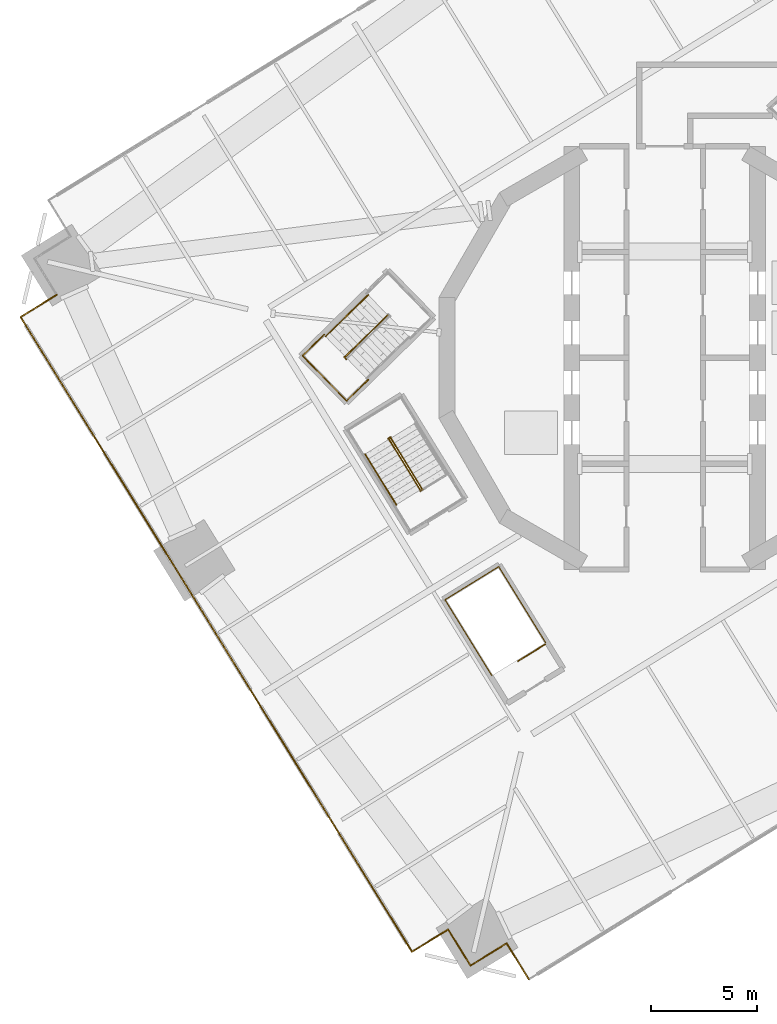
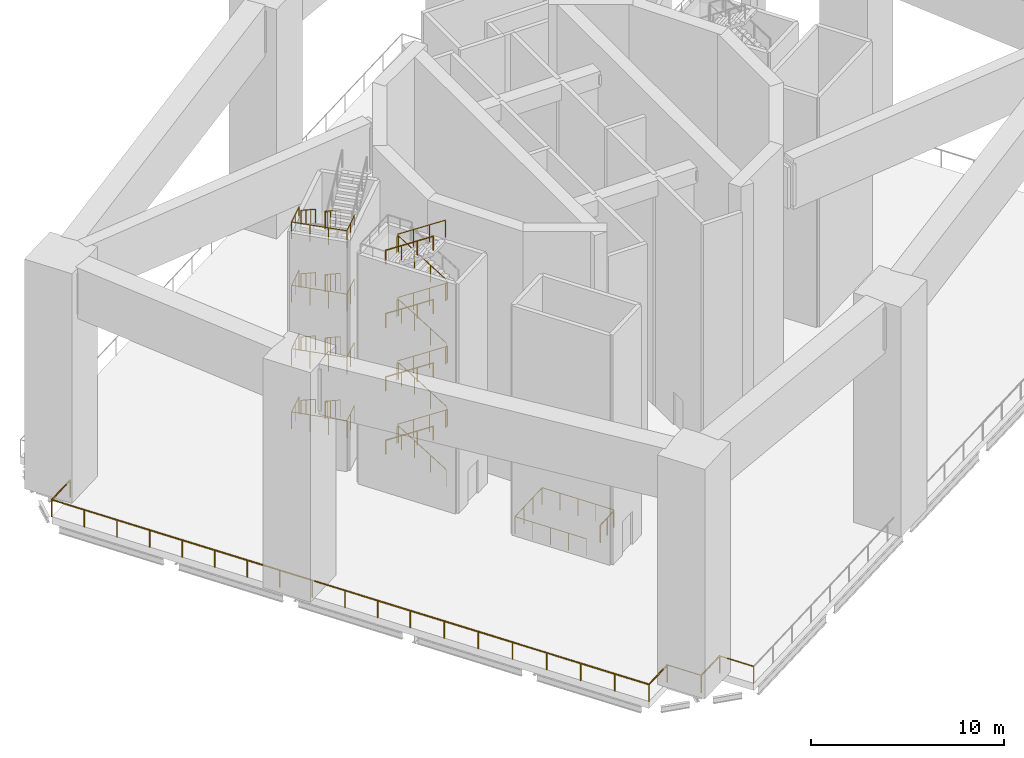
# One storey, part 10 of 15: 33 railings.
"""IFC4 building model written with IfcOpenShell, lengths in metres."""

from ifc_helpers import new_model, si_unit, direction, frame, origin, origin_2d, place, context, subcontext, project, spatial, circle, extrude, material, type_object, element, save


model = new_model("IFC4")

# Units and contexts
model_context = context("Model", 3, precision=1e-05, world=origin(), true_north=direction((0.0, 1.0)))
body_context = subcontext(model_context, "Body", "Model", "MODEL_VIEW")
ifc_project = project(units=[si_unit("LENGTHUNIT", "METRE"), si_unit("AREAUNIT", "SQUARE_METRE"), si_unit("VOLUMEUNIT", "CUBIC_METRE"), si_unit("PLANEANGLEUNIT", "RADIAN"), si_unit("MASSUNIT", "GRAM", prefix="KILO")], contexts=[model_context])

# Site, building, storey
site_placement = place(None, origin())
site = spatial("IfcSite", under=ifc_project, at=site_placement, CompositionType="ELEMENT")
building_placement = place(site_placement, origin())
building = spatial("IfcBuilding", under=site, at=building_placement, Name="Cantera Rosa Tower", CompositionType="ELEMENT")
storey_placement = place(building_placement, frame((0.0, 0.0, 189.39990234375)))
storey = spatial("IfcBuildingStorey", under=building, at=storey_placement, Name="L42", CompositionType="ELEMENT", Elevation=189.39990234375)

# Railings
ifc_material_1 = material(Name="Stainless steel and laminated glass", Category="steel")
railing_type_1 = type_object("IfcRailingType", Name="GUARD 1100", PredefinedType="BALUSTRADE", material=ifc_material_1)
railing_1_placement = place(storey_placement, frame((-28.618896484375, 2.967529296875, 0.0)))
element("IfcRailing", 1, at=railing_1_placement, inside=storey, type_object=railing_type_1, Name="PORTAL GUARD L42-11", PredefinedType="BALUSTRADE", context=body_context, shape_type="SweptSolid", body=[
    extrude(circle(Radius=0.030029296875, at=origin_2d()), frame((0.0, 0.0, 1.070068359375), z_axis=(-0.851138143202, -0.52494176933, 0.0), x_axis=(0.52494176933, -0.851138143202, 0.0)), (0.0, 0.0, 1.0), 1.999755859375),
    extrude(circle(Radius=0.02490234375, at=origin_2d()), origin(), (0.0, 0.0, 1.0), 1.0400390625),
    extrude(circle(Radius=0.02490234375, at=origin_2d()), frame((-1.7021484375, -1.0498046875, 0.0)), (0.0, 0.0, 1.0), 1.0400390625),
])
railing_2_placement = place(storey_placement, frame((-30.321044921875, 1.917724609375, 0.0)))
element("IfcRailing", 2, at=railing_2_placement, inside=storey, type_object=railing_type_1, Name="PORTAL GUARD L42-12", PredefinedType="BALUSTRADE", context=body_context, shape_type="SweptSolid", body=[
    extrude(circle(Radius=0.030029296875, at=origin_2d()), frame((0.0, 0.0, 1.070068359375), z_axis=(0.524972268191, -0.851119332192, 0.0), x_axis=(0.851119332192, 0.524972268191, 0.0)), (0.0, 0.0, 1.0), 21.06005859375),
    extrude(circle(Radius=0.02490234375, at=origin_2d()), origin(), (0.0, 0.0, 1.0), 1.0400390625),
    extrude(circle(Radius=0.02490234375, at=origin_2d()), frame((1.005126953125, -1.62939453125, 0.0)), (0.0, 0.0, 1.0), 1.0400390625),
    extrude(circle(Radius=0.02490234375, at=origin_2d()), frame((2.01025390625, -3.259033203125, 0.0)), (0.0, 0.0, 1.0), 1.0400390625),
    extrude(circle(Radius=0.02490234375, at=origin_2d()), frame((3.01513671875, -4.888427734375, 0.0)), (0.0, 0.0, 1.0), 1.0400390625),
    extrude(circle(Radius=0.02490234375, at=origin_2d()), frame((4.020263671875, -6.51806640625, 0.0)), (0.0, 0.0, 1.0), 1.0400390625),
    extrude(circle(Radius=0.02490234375, at=origin_2d()), frame((5.025390625, -8.1474609375, 0.0)), (0.0, 0.0, 1.0), 1.0400390625),
    extrude(circle(Radius=0.02490234375, at=origin_2d()), frame((6.030517578125, -9.777099609375, 0.0)), (0.0, 0.0, 1.0), 1.0400390625),
    extrude(circle(Radius=0.02490234375, at=origin_2d()), frame((7.03564453125, -11.406494140625, 0.0)), (0.0, 0.0, 1.0), 1.0400390625),
    extrude(circle(Radius=0.02490234375, at=origin_2d()), frame((8.040771484375, -13.0361328125, 0.0)), (0.0, 0.0, 1.0), 1.0400390625),
    extrude(circle(Radius=0.02490234375, at=origin_2d()), frame((9.045654296875, -14.66552734375, 0.0)), (0.0, 0.0, 1.0), 1.0400390625),
    extrude(circle(Radius=0.02490234375, at=origin_2d()), frame((10.05078125, -16.295166015625, 0.0)), (0.0, 0.0, 1.0), 1.0400390625),
    extrude(circle(Radius=0.02490234375, at=origin_2d()), frame((11.055908203125, -17.924560546875, 0.0)), (0.0, 0.0, 1.0), 1.0400390625),
])
railing_3_placement = place(storey_placement, frame((-19.26513671875, -16.0068359375, 0.0)))
element("IfcRailing", 3, at=railing_3_placement, inside=storey, type_object=railing_type_1, Name="PORTAL GUARD L42-13", PredefinedType="BALUSTRADE", context=body_context, shape_type="SweptSolid", body=[
    extrude(circle(Radius=0.030029296875, at=origin_2d()), frame((0.0, 0.0, 1.070068359375), z_axis=(0.524984864642, -0.851111562544, 0.0), x_axis=(0.851111562544, 0.524984864642, 0.0)), (0.0, 0.0, 1.0), 14.0400390625),
    extrude(circle(Radius=0.02490234375, at=origin_2d()), origin(), (0.0, 0.0, 1.0), 1.0400390625),
    extrude(circle(Radius=0.02490234375, at=origin_2d()), frame((1.052978515625, -1.70703125, 0.0)), (0.0, 0.0, 1.0), 1.0400390625),
    extrude(circle(Radius=0.02490234375, at=origin_2d()), frame((2.10595703125, -3.414306640625, 0.0)), (0.0, 0.0, 1.0), 1.0400390625),
    extrude(circle(Radius=0.02490234375, at=origin_2d()), frame((3.158935546875, -5.121337890625, 0.0)), (0.0, 0.0, 1.0), 1.0400390625),
    extrude(circle(Radius=0.02490234375, at=origin_2d()), frame((4.2119140625, -6.828369140625, 0.0)), (0.0, 0.0, 1.0), 1.0400390625),
    extrude(circle(Radius=0.02490234375, at=origin_2d()), frame((5.264892578125, -8.535400390625, 0.0)), (0.0, 0.0, 1.0), 1.0400390625),
    extrude(circle(Radius=0.02490234375, at=origin_2d()), frame((6.31787109375, -10.24267578125, 0.0)), (0.0, 0.0, 1.0), 1.0400390625),
    extrude(circle(Radius=0.02490234375, at=origin_2d()), frame((7.370849609375, -11.94970703125, 0.0)), (0.0, 0.0, 1.0), 1.0400390625),
])
railing_4_placement = place(storey_placement, frame((-11.894287109375, -27.95654296875, 0.0)))
element("IfcRailing", 4, at=railing_4_placement, inside=storey, type_object=railing_type_1, Name="PORTAL GUARD L42-14", PredefinedType="BALUSTRADE", context=body_context, shape_type="SweptSolid", body=[
    extrude(circle(Radius=0.030029296875, at=origin_2d()), frame((0.0, 0.0, 1.070068359375), z_axis=(0.85108359724, 0.525030199617, 0.0), x_axis=(-0.525030199617, 0.85108359724, 0.0)), (0.0, 0.0, 1.0), 2.0),
    extrude(circle(Radius=0.02490234375, at=origin_2d()), origin(), (0.0, 0.0, 1.0), 1.0400390625),
    extrude(circle(Radius=0.02490234375, at=origin_2d()), frame((1.7021484375, 1.050048828125, 0.0)), (0.0, 0.0, 1.0), 1.0400390625),
])
railing_5_placement = place(storey_placement, frame((-10.192138671875, -26.906494140625, 0.0)))
element("IfcRailing", 5, at=railing_5_placement, inside=storey, type_object=railing_type_1, Name="PORTAL GUARD L42-15", PredefinedType="BALUSTRADE", context=body_context, shape_type="SweptSolid", body=[
    extrude(circle(Radius=0.030029296875, at=origin_2d()), frame((0.0, 0.0, 1.070068359375), z_axis=(0.524975657145, -0.851117241868, 0.0), x_axis=(0.851117241868, 0.524975657145, 0.0)), (0.0, 0.0, 1.0), 2.000244140625),
    extrude(circle(Radius=0.02490234375, at=origin_2d()), origin(), (0.0, 0.0, 1.0), 1.0400390625),
    extrude(circle(Radius=0.02490234375, at=origin_2d()), frame((1.050048828125, -1.702392578125, 0.0)), (0.0, 0.0, 1.0), 1.0400390625),
])
railing_6_placement = place(storey_placement, frame((-9.14208984375, -28.60888671875, 0.0)))
element("IfcRailing", 6, at=railing_6_placement, inside=storey, type_object=railing_type_1, Name="PORTAL GUARD L42-16", PredefinedType="BALUSTRADE", context=body_context, shape_type="SweptSolid", body=[
    extrude(circle(Radius=0.030029296875, at=origin_2d()), frame((0.0, 0.0, 1.070068359375), z_axis=(0.85108359724, 0.525030199617, 0.0), x_axis=(-0.525030199617, 0.85108359724, 0.0)), (0.0, 0.0, 1.0), 2.0),
    extrude(circle(Radius=0.02490234375, at=origin_2d()), origin(), (0.0, 0.0, 1.0), 1.0400390625),
    extrude(circle(Radius=0.02490234375, at=origin_2d()), frame((1.7021484375, 1.050048828125, 0.0)), (0.0, 0.0, 1.0), 1.0400390625),
])
railing_7_placement = place(storey_placement, frame((-7.43994140625, -27.558837890625, 0.0)))
element("IfcRailing", 7, at=railing_7_placement, inside=storey, type_object=railing_type_1, Name="PORTAL GUARD L42-17", PredefinedType="BALUSTRADE", context=body_context, shape_type="SweptSolid", body=[
    extrude(circle(Radius=0.030029296875, at=origin_2d()), frame((0.0, 0.0, 1.070068359375), z_axis=(0.525030199617, -0.85108359724, 0.0), x_axis=(0.85108359724, 0.525030199617, 0.0)), (0.0, 0.0, 1.0), 2.0),
    extrude(circle(Radius=0.02490234375, at=origin_2d()), origin(), (0.0, 0.0, 1.0), 1.0400390625),
    extrude(circle(Radius=0.02490234375, at=origin_2d()), frame((1.050048828125, -1.7021484375, 0.0)), (0.0, 0.0, 1.0), 1.0400390625),
])
ifc_material_2 = material(Name="Steel S355J2 (EN 10025-2)", Category="steel")
railing_type_2 = type_object("IfcRailingType", Name="STAIR GUARD 1100", PredefinedType="GUARDRAIL", material=ifc_material_2)
railing_8_placement = place(storey_placement, frame((-5.6259765625, -13.486083984375, 0.0)))
element("IfcRailing", 8, at=railing_8_placement, inside=storey, type_object=railing_type_2, Name="L42 ST-33 top well guard 1", PredefinedType="GUARDRAIL", context=body_context, shape_type="SweptSolid", body=[
    extrude(circle(Radius=0.02392578125, at=origin_2d()), frame((0.0, 0.0, 1.076171875), z_axis=(-0.851138143202, -0.52494176933, 0.0), x_axis=(0.52494176933, -0.851138143202, 0.0)), (0.0, 0.0, 1.0), 1.5),
    extrude(circle(Radius=0.02099609375, at=origin_2d()), origin(), (0.0, 0.0, 1.0), 1.052001953125),
    extrude(circle(Radius=0.02099609375, at=origin_2d()), frame((-0.63818359375, -0.3935546875, 0.0)), (0.0, 0.0, 1.0), 1.052001953125),
    extrude(circle(Radius=0.02099609375, at=origin_2d()), frame((-1.276611328125, -0.787353515625, 0.0)), (0.0, 0.0, 1.0), 1.052001953125),
])
railing_9_placement = place(storey_placement, frame((-5.607421875, -13.40185546875, 0.0)))
element("IfcRailing", 9, at=railing_9_placement, inside=storey, type_object=railing_type_2, Name="L42 ST-33 top well guard 2", PredefinedType="GUARDRAIL", context=body_context, shape_type="SweptSolid", body=[
    extrude(circle(Radius=0.02392578125, at=origin_2d()), frame((0.0, 0.0, 1.076171875), z_axis=(-0.524976478809, 0.851116735059, 0.0), x_axis=(-0.851116735059, -0.524976478809, 0.0)), (0.0, 0.0, 1.0), 4.197998046875),
    extrude(circle(Radius=0.02392578125, at=origin_2d()), frame((-2.203857421875, 3.572998046875, 1.076171875), z_axis=(-0.851132917336, -0.524950242429, 0.0), x_axis=(0.524950242429, -0.851132917336, 0.0)), (0.0, 0.0, 1.0), 2.969970703125),
    extrude(circle(Radius=0.02392578125, at=origin_2d()), frame((-4.731689453125, 2.013916015625, 1.076171875), z_axis=(0.524976478809, -0.851116735059, 0.0), x_axis=(0.851116735059, 0.524976478809, 0.0)), (0.0, 0.0, 1.0), 4.197998046875),
    extrude(circle(Radius=0.02099609375, at=origin_2d()), origin(), (0.0, 0.0, 1.0), 1.052001953125),
    extrude(circle(Radius=0.02099609375, at=origin_2d()), frame((-0.551025390625, 0.893310546875, 0.0)), (0.0, 0.0, 1.0), 1.052001953125),
    extrude(circle(Radius=0.02099609375, at=origin_2d()), frame((-1.10205078125, 1.78662109375, 0.0)), (0.0, 0.0, 1.0), 1.052001953125),
    extrude(circle(Radius=0.02099609375, at=origin_2d()), frame((-1.65283203125, 2.6796875, 0.0)), (0.0, 0.0, 1.0), 1.052001953125),
    extrude(circle(Radius=0.02099609375, at=origin_2d()), frame((-2.203857421875, 3.572998046875, 0.0)), (0.0, 0.0, 1.0), 1.052001953125),
    extrude(circle(Radius=0.02099609375, at=origin_2d()), frame((-3.04638671875, 3.05322265625, 0.0)), (0.0, 0.0, 1.0), 1.052001953125),
    extrude(circle(Radius=0.02099609375, at=origin_2d()), frame((-3.88916015625, 2.53369140625, 0.0)), (0.0, 0.0, 1.0), 1.052001953125),
    extrude(circle(Radius=0.02099609375, at=origin_2d()), frame((-4.731689453125, 2.013916015625, 0.0)), (0.0, 0.0, 1.0), 1.052001953125),
    extrude(circle(Radius=0.02099609375, at=origin_2d()), frame((-4.1806640625, 1.12060546875, 0.0)), (0.0, 0.0, 1.0), 1.052001953125),
    extrude(circle(Radius=0.02099609375, at=origin_2d()), frame((-3.6298828125, 0.2275390625, 0.0)), (0.0, 0.0, 1.0), 1.052001953125),
    extrude(circle(Radius=0.02099609375, at=origin_2d()), frame((-3.078857421875, -0.665771484375, 0.0)), (0.0, 0.0, 1.0), 1.052001953125),
    extrude(circle(Radius=0.02099609375, at=origin_2d()), frame((-2.52783203125, -1.55908203125, 0.0)), (0.0, 0.0, 1.0), 1.052001953125),
])
for number, where, name in (
    (10, (-13.032958984375, 2.013427734375, 0.181884765625), "L42 ST-43 stair guard 1"),
    (11, (-13.032958984375, 2.013427734375, 4.181884765625), "L42 ST-43 stair guard 3"),
    (12, (-13.032958984375, 2.013427734375, 8.181884765625), "L42 ST-43 stair guard 5"),
    (13, (-13.032958984375, 2.013427734375, 12.181884765625), "L42 ST-43 stair guard 7"),
):
    element("IfcRailing", number, at=place(storey_placement, frame(where)), inside=storey, type_object=railing_type_2, Name=name, PredefinedType="GUARDRAIL", context=body_context, shape_type="SweptSolid", body=[
        extrude(circle(Radius=0.02392578125, at=origin_2d()), frame((0.0, 0.0, 1.076171875), z_axis=(-0.599883231653, -0.586134841119, 0.544597150569), x_axis=(0.698863004655, -0.715255549244, 0.0)), (0.0, 0.0, 1.0), 3.33837890625),
        extrude(circle(Radius=0.02392578125, at=origin_2d()), frame((-2.002685546875, -1.956787109375, 2.89404296875), z_axis=(-0.956987977523, -0.290127576896, 0.0), x_axis=(0.290127576896, -0.956987977523, 0.0)), (0.0, 0.0, 1.0), 0.056396484375),
        extrude(circle(Radius=0.02392578125, at=origin_2d()), frame((-2.056640625, -1.97314453125, 2.89404296875), z_axis=(0.698914008722, -0.715205710557, 0.0), x_axis=(0.715205710557, 0.698914008722, 0.0)), (0.0, 0.0, 1.0), 0.14990234375),
        extrude(circle(Radius=0.02099609375, at=origin_2d()), origin(), (0.0, 0.0, 1.0), 1.052001953125),
        extrude(circle(Radius=0.02099609375, at=origin_2d()), frame((-0.66748046875, -0.65234375, 0.60595703125)), (0.0, 0.0, 1.0), 1.052001953125),
        extrude(circle(Radius=0.02099609375, at=origin_2d()), frame((-1.335205078125, -1.304443359375, 1.212158203125)), (0.0, 0.0, 1.0), 1.052001953125),
        extrude(circle(Radius=0.02099609375, at=origin_2d()), frame((-2.002685546875, -1.956787109375, 1.818115234375)), (0.0, 0.0, 1.0), 1.052001953125),
        extrude(circle(Radius=0.02099609375, at=origin_2d()), frame((-2.056640625, -1.97314453125, 1.818115234375)), (0.0, 0.0, 1.0), 1.052001953125),
        extrude(circle(Radius=0.02099609375, at=origin_2d()), frame((-1.951904296875, -2.080322265625, 1.818115234375)), (0.0, 0.0, 1.0), 1.052001953125),
    ])
for number, where, name in (
    (14, (-16.030517578125, 1.09228515625, 2.0), "L42 ST-43 stair guard 10"),
    (15, (-16.030517578125, 1.09228515625, 6.0), "L42 ST-43 stair guard 12"),
    (16, (-16.030517578125, 1.09228515625, 10.0), "L42 ST-43 stair guard 14"),
    (17, (-16.030517578125, 1.09228515625, 14.0), "L42 ST-43 stair guard 16"),
):
    element("IfcRailing", number, at=place(storey_placement, frame(where)), inside=storey, type_object=railing_type_2, Name=name, PredefinedType="GUARDRAIL", context=body_context, shape_type="SweptSolid", body=[
        extrude(circle(Radius=0.02392578125, at=origin_2d()), frame((0.0, 0.0, 1.076171875), z_axis=(-0.7152145072, -0.698905006915, 0.0), x_axis=(0.698905006915, -0.7152145072, 0.0)), (0.0, 0.0, 1.0), 1.422119140625),
        extrude(circle(Radius=0.02392578125, at=origin_2d()), frame((-1.01708984375, -0.993896484375, 1.076171875), z_axis=(0.698838333505, -0.715279654138, 0.0), x_axis=(0.715279654138, 0.698838333505, 0.0)), (0.0, 0.0, 1.0), 2.9697265625),
        extrude(circle(Radius=0.02392578125, at=origin_2d()), frame((1.058349609375, -3.1181640625, 1.076171875), z_axis=(0.715300328746, 0.698817171867, 0.0), x_axis=(-0.698817171867, 0.715300328746, 0.0)), (0.0, 0.0, 1.0), 1.421875),
        extrude(circle(Radius=0.02099609375, at=origin_2d()), origin(), (0.0, 0.0, 1.0), 1.052001953125),
        extrude(circle(Radius=0.02099609375, at=origin_2d()), frame((-0.508544921875, -0.4970703125, 0.0)), (0.0, 0.0, 1.0), 1.052001953125),
        extrude(circle(Radius=0.02099609375, at=origin_2d()), frame((-1.01708984375, -0.993896484375, 0.0)), (0.0, 0.0, 1.0), 1.052001953125),
        extrude(circle(Radius=0.02099609375, at=origin_2d()), frame((-0.3251953125, -1.701904296875, 0.0)), (0.0, 0.0, 1.0), 1.052001953125),
        extrude(circle(Radius=0.02099609375, at=origin_2d()), frame((0.366455078125, -2.41015625, 0.0)), (0.0, 0.0, 1.0), 1.052001953125),
        extrude(circle(Radius=0.02099609375, at=origin_2d()), frame((1.058349609375, -3.1181640625, 0.0)), (0.0, 0.0, 1.0), 1.052001953125),
        extrude(circle(Radius=0.02099609375, at=origin_2d()), frame((1.56689453125, -2.621337890625, 0.0)), (0.0, 0.0, 1.0), 1.052001953125),
        extrude(circle(Radius=0.02099609375, at=origin_2d()), frame((2.075439453125, -2.12451171875, 0.0)), (0.0, 0.0, 1.0), 1.052001953125),
    ])
railing_10_placement = place(storey_placement, frame((-11.42333984375, -6.165771484375, 0.181884765625)))
element("IfcRailing", 18, at=railing_10_placement, inside=storey, type_object=railing_type_2, Name="L42 ST-44 stair guard 1", PredefinedType="GUARDRAIL", context=body_context, shape_type="SweptSolid", body=[
    extrude(circle(Radius=0.02392578125, at=origin_2d()), frame((0.0, 0.0, 1.076171875), z_axis=(-0.440313995068, 0.713819117399, 0.54459696417), x_axis=(-0.851103988667, -0.524997143301, 0.0)), (0.0, 0.0, 1.0), 3.33837890625),
    extrude(circle(Radius=0.02392578125, at=origin_2d()), frame((-1.469970703125, 2.383056640625, 2.89404296875), z_axis=(-0.073711968402, 0.997279572494, 0.0), x_axis=(-0.997279572494, -0.073711968402, 0.0)), (0.0, 0.0, 1.0), 0.056396484375),
    extrude(circle(Radius=0.02392578125, at=origin_2d()), frame((-1.47412109375, 2.439208984375, 2.89404296875), z_axis=(-0.851546489876, -0.524279100842, 0.0), x_axis=(0.524279100842, -0.851546489876, 0.0)), (0.0, 0.0, 1.0), 0.14990234375),
    extrude(circle(Radius=0.02099609375, at=origin_2d()), origin(), (0.0, 0.0, 1.0), 1.052001953125),
    extrude(circle(Radius=0.02099609375, at=origin_2d()), frame((-0.489990234375, 0.79443359375, 0.60595703125)), (0.0, 0.0, 1.0), 1.052001953125),
    extrude(circle(Radius=0.02099609375, at=origin_2d()), frame((-0.97998046875, 1.588623046875, 1.212158203125)), (0.0, 0.0, 1.0), 1.052001953125),
    extrude(circle(Radius=0.02099609375, at=origin_2d()), frame((-1.469970703125, 2.383056640625, 1.818115234375)), (0.0, 0.0, 1.0), 1.052001953125),
    extrude(circle(Radius=0.02099609375, at=origin_2d()), frame((-1.47412109375, 2.439208984375, 1.818115234375)), (0.0, 0.0, 1.0), 1.052001953125),
    extrude(circle(Radius=0.02099609375, at=origin_2d()), frame((-1.601806640625, 2.360595703125, 1.818115234375)), (0.0, 0.0, 1.0), 1.052001953125),
])
railing_11_placement = place(storey_placement, frame((-12.9765625, -3.834228515625, 2.181884765625)))
element("IfcRailing", 19, at=railing_11_placement, inside=storey, type_object=railing_type_2, Name="L42 ST-44 stair guard 2", PredefinedType="GUARDRAIL", context=body_context, shape_type="SweptSolid", body=[
    extrude(circle(Radius=0.02392578125, at=origin_2d()), frame((0.0, 0.0, 1.076171875), z_axis=(0.440255040635, -0.713842101601, 0.544614499603), x_axis=(0.851142948908, 0.5249339773, 0.0)), (0.0, 0.0, 1.0), 3.33837890625),
    extrude(circle(Radius=0.02392578125, at=origin_2d()), frame((1.4697265625, -2.383056640625, 2.89404296875), z_axis=(0.073711968402, -0.997279572494, 0.0), x_axis=(0.997279572494, 0.073711968402, 0.0)), (0.0, 0.0, 1.0), 0.056396484375),
    extrude(circle(Radius=0.02392578125, at=origin_2d()), frame((1.473876953125, -2.439208984375, 2.89404296875), z_axis=(0.851546489876, 0.524279100842, 0.0), x_axis=(-0.524279100842, 0.851546489876, 0.0)), (0.0, 0.0, 1.0), 0.14990234375),
    extrude(circle(Radius=0.02099609375, at=origin_2d()), origin(), (0.0, 0.0, 1.0), 1.052001953125),
    extrude(circle(Radius=0.02099609375, at=origin_2d()), frame((0.489990234375, -0.79443359375, 0.60595703125)), (0.0, 0.0, 1.0), 1.052001953125),
    extrude(circle(Radius=0.02099609375, at=origin_2d()), frame((0.979736328125, -1.588623046875, 1.212158203125)), (0.0, 0.0, 1.0), 1.052001953125),
    extrude(circle(Radius=0.02099609375, at=origin_2d()), frame((1.4697265625, -2.383056640625, 1.818115234375)), (0.0, 0.0, 1.0), 1.052001953125),
    extrude(circle(Radius=0.02099609375, at=origin_2d()), frame((1.473876953125, -2.439208984375, 1.818115234375)), (0.0, 0.0, 1.0), 1.052001953125),
    extrude(circle(Radius=0.02099609375, at=origin_2d()), frame((1.6015625, -2.360595703125, 1.818115234375)), (0.0, 0.0, 1.0), 1.052001953125),
])
railing_12_placement = place(storey_placement, frame((-11.42333984375, -6.165771484375, 4.181884765625)))
element("IfcRailing", 20, at=railing_12_placement, inside=storey, type_object=railing_type_2, Name="L42 ST-44 stair guard 3", PredefinedType="GUARDRAIL", context=body_context, shape_type="SweptSolid", body=[
    extrude(circle(Radius=0.02392578125, at=origin_2d()), frame((0.0, 0.0, 1.076171875), z_axis=(-0.440313995068, 0.713819117399, 0.54459696417), x_axis=(-0.851103988667, -0.524997143301, 0.0)), (0.0, 0.0, 1.0), 3.33837890625),
    extrude(circle(Radius=0.02392578125, at=origin_2d()), frame((-1.469970703125, 2.383056640625, 2.89404296875), z_axis=(-0.073711968402, 0.997279572494, 0.0), x_axis=(-0.997279572494, -0.073711968402, 0.0)), (0.0, 0.0, 1.0), 0.056396484375),
    extrude(circle(Radius=0.02392578125, at=origin_2d()), frame((-1.47412109375, 2.439208984375, 2.89404296875), z_axis=(-0.851546489876, -0.524279100842, 0.0), x_axis=(0.524279100842, -0.851546489876, 0.0)), (0.0, 0.0, 1.0), 0.14990234375),
    extrude(circle(Radius=0.02099609375, at=origin_2d()), origin(), (0.0, 0.0, 1.0), 1.052001953125),
    extrude(circle(Radius=0.02099609375, at=origin_2d()), frame((-0.489990234375, 0.79443359375, 0.60595703125)), (0.0, 0.0, 1.0), 1.052001953125),
    extrude(circle(Radius=0.02099609375, at=origin_2d()), frame((-0.97998046875, 1.588623046875, 1.212158203125)), (0.0, 0.0, 1.0), 1.052001953125),
    extrude(circle(Radius=0.02099609375, at=origin_2d()), frame((-1.469970703125, 2.383056640625, 1.818115234375)), (0.0, 0.0, 1.0), 1.052001953125),
    extrude(circle(Radius=0.02099609375, at=origin_2d()), frame((-1.47412109375, 2.439208984375, 1.818115234375)), (0.0, 0.0, 1.0), 1.052001953125),
    extrude(circle(Radius=0.02099609375, at=origin_2d()), frame((-1.601806640625, 2.360595703125, 1.818115234375)), (0.0, 0.0, 1.0), 1.052001953125),
])
railing_13_placement = place(storey_placement, frame((-12.9765625, -3.834228515625, 6.181884765625)))
element("IfcRailing", 21, at=railing_13_placement, inside=storey, type_object=railing_type_2, Name="L42 ST-44 stair guard 4", PredefinedType="GUARDRAIL", context=body_context, shape_type="SweptSolid", body=[
    extrude(circle(Radius=0.02392578125, at=origin_2d()), frame((0.0, 0.0, 1.076171875), z_axis=(0.440255040635, -0.713842101601, 0.544614499603), x_axis=(0.851142948908, 0.5249339773, 0.0)), (0.0, 0.0, 1.0), 3.33837890625),
    extrude(circle(Radius=0.02392578125, at=origin_2d()), frame((1.4697265625, -2.383056640625, 2.89404296875), z_axis=(0.073711968402, -0.997279572494, 0.0), x_axis=(0.997279572494, 0.073711968402, 0.0)), (0.0, 0.0, 1.0), 0.056396484375),
    extrude(circle(Radius=0.02392578125, at=origin_2d()), frame((1.473876953125, -2.439208984375, 2.89404296875), z_axis=(0.851546489876, 0.524279100842, 0.0), x_axis=(-0.524279100842, 0.851546489876, 0.0)), (0.0, 0.0, 1.0), 0.14990234375),
    extrude(circle(Radius=0.02099609375, at=origin_2d()), origin(), (0.0, 0.0, 1.0), 1.052001953125),
    extrude(circle(Radius=0.02099609375, at=origin_2d()), frame((0.489990234375, -0.79443359375, 0.60595703125)), (0.0, 0.0, 1.0), 1.052001953125),
    extrude(circle(Radius=0.02099609375, at=origin_2d()), frame((0.979736328125, -1.588623046875, 1.212158203125)), (0.0, 0.0, 1.0), 1.052001953125),
    extrude(circle(Radius=0.02099609375, at=origin_2d()), frame((1.4697265625, -2.383056640625, 1.818115234375)), (0.0, 0.0, 1.0), 1.052001953125),
    extrude(circle(Radius=0.02099609375, at=origin_2d()), frame((1.473876953125, -2.439208984375, 1.818115234375)), (0.0, 0.0, 1.0), 1.052001953125),
    extrude(circle(Radius=0.02099609375, at=origin_2d()), frame((1.6015625, -2.360595703125, 1.818115234375)), (0.0, 0.0, 1.0), 1.052001953125),
])
railing_14_placement = place(storey_placement, frame((-11.42333984375, -6.165771484375, 8.181884765625)))
element("IfcRailing", 22, at=railing_14_placement, inside=storey, type_object=railing_type_2, Name="L42 ST-44 stair guard 5", PredefinedType="GUARDRAIL", context=body_context, shape_type="SweptSolid", body=[
    extrude(circle(Radius=0.02392578125, at=origin_2d()), frame((0.0, 0.0, 1.076171875), z_axis=(-0.440313995068, 0.713819117399, 0.54459696417), x_axis=(-0.851103988667, -0.524997143301, 0.0)), (0.0, 0.0, 1.0), 3.33837890625),
    extrude(circle(Radius=0.02392578125, at=origin_2d()), frame((-1.469970703125, 2.383056640625, 2.89404296875), z_axis=(-0.073711968402, 0.997279572494, 0.0), x_axis=(-0.997279572494, -0.073711968402, 0.0)), (0.0, 0.0, 1.0), 0.056396484375),
    extrude(circle(Radius=0.02392578125, at=origin_2d()), frame((-1.47412109375, 2.439208984375, 2.89404296875), z_axis=(-0.851546489876, -0.524279100842, 0.0), x_axis=(0.524279100842, -0.851546489876, 0.0)), (0.0, 0.0, 1.0), 0.14990234375),
    extrude(circle(Radius=0.02099609375, at=origin_2d()), origin(), (0.0, 0.0, 1.0), 1.052001953125),
    extrude(circle(Radius=0.02099609375, at=origin_2d()), frame((-0.489990234375, 0.79443359375, 0.60595703125)), (0.0, 0.0, 1.0), 1.052001953125),
    extrude(circle(Radius=0.02099609375, at=origin_2d()), frame((-0.97998046875, 1.588623046875, 1.212158203125)), (0.0, 0.0, 1.0), 1.052001953125),
    extrude(circle(Radius=0.02099609375, at=origin_2d()), frame((-1.469970703125, 2.383056640625, 1.818115234375)), (0.0, 0.0, 1.0), 1.052001953125),
    extrude(circle(Radius=0.02099609375, at=origin_2d()), frame((-1.47412109375, 2.439208984375, 1.818115234375)), (0.0, 0.0, 1.0), 1.052001953125),
    extrude(circle(Radius=0.02099609375, at=origin_2d()), frame((-1.601806640625, 2.360595703125, 1.818115234375)), (0.0, 0.0, 1.0), 1.052001953125),
])
railing_15_placement = place(storey_placement, frame((-12.9765625, -3.834228515625, 10.181884765625)))
element("IfcRailing", 23, at=railing_15_placement, inside=storey, type_object=railing_type_2, Name="L42 ST-44 stair guard 6", PredefinedType="GUARDRAIL", context=body_context, shape_type="SweptSolid", body=[
    extrude(circle(Radius=0.02392578125, at=origin_2d()), frame((0.0, 0.0, 1.076171875), z_axis=(0.440255040635, -0.713842101601, 0.544614499603), x_axis=(0.851142948908, 0.5249339773, 0.0)), (0.0, 0.0, 1.0), 3.33837890625),
    extrude(circle(Radius=0.02392578125, at=origin_2d()), frame((1.4697265625, -2.383056640625, 2.89404296875), z_axis=(0.073711968402, -0.997279572494, 0.0), x_axis=(0.997279572494, 0.073711968402, 0.0)), (0.0, 0.0, 1.0), 0.056396484375),
    extrude(circle(Radius=0.02392578125, at=origin_2d()), frame((1.473876953125, -2.439208984375, 2.89404296875), z_axis=(0.851546489876, 0.524279100842, 0.0), x_axis=(-0.524279100842, 0.851546489876, 0.0)), (0.0, 0.0, 1.0), 0.14990234375),
    extrude(circle(Radius=0.02099609375, at=origin_2d()), origin(), (0.0, 0.0, 1.0), 1.052001953125),
    extrude(circle(Radius=0.02099609375, at=origin_2d()), frame((0.489990234375, -0.79443359375, 0.60595703125)), (0.0, 0.0, 1.0), 1.052001953125),
    extrude(circle(Radius=0.02099609375, at=origin_2d()), frame((0.979736328125, -1.588623046875, 1.212158203125)), (0.0, 0.0, 1.0), 1.052001953125),
    extrude(circle(Radius=0.02099609375, at=origin_2d()), frame((1.4697265625, -2.383056640625, 1.818115234375)), (0.0, 0.0, 1.0), 1.052001953125),
    extrude(circle(Radius=0.02099609375, at=origin_2d()), frame((1.473876953125, -2.439208984375, 1.818115234375)), (0.0, 0.0, 1.0), 1.052001953125),
    extrude(circle(Radius=0.02099609375, at=origin_2d()), frame((1.6015625, -2.360595703125, 1.818115234375)), (0.0, 0.0, 1.0), 1.052001953125),
])
railing_16_placement = place(storey_placement, frame((-11.42333984375, -6.165771484375, 12.181884765625)))
element("IfcRailing", 24, at=railing_16_placement, inside=storey, type_object=railing_type_2, Name="L42 ST-44 stair guard 7", PredefinedType="GUARDRAIL", context=body_context, shape_type="SweptSolid", body=[
    extrude(circle(Radius=0.02392578125, at=origin_2d()), frame((0.0, 0.0, 1.076171875), z_axis=(-0.440313995068, 0.713819117399, 0.54459696417), x_axis=(-0.851103988667, -0.524997143301, 0.0)), (0.0, 0.0, 1.0), 3.33837890625),
    extrude(circle(Radius=0.02392578125, at=origin_2d()), frame((-1.469970703125, 2.383056640625, 2.89404296875), z_axis=(-0.073711968402, 0.997279572494, 0.0), x_axis=(-0.997279572494, -0.073711968402, 0.0)), (0.0, 0.0, 1.0), 0.056396484375),
    extrude(circle(Radius=0.02392578125, at=origin_2d()), frame((-1.47412109375, 2.439208984375, 2.89404296875), z_axis=(-0.851546489876, -0.524279100842, 0.0), x_axis=(0.524279100842, -0.851546489876, 0.0)), (0.0, 0.0, 1.0), 0.14990234375),
    extrude(circle(Radius=0.02099609375, at=origin_2d()), origin(), (0.0, 0.0, 1.0), 1.052001953125),
    extrude(circle(Radius=0.02099609375, at=origin_2d()), frame((-0.489990234375, 0.79443359375, 0.60595703125)), (0.0, 0.0, 1.0), 1.052001953125),
    extrude(circle(Radius=0.02099609375, at=origin_2d()), frame((-0.97998046875, 1.588623046875, 1.212158203125)), (0.0, 0.0, 1.0), 1.052001953125),
    extrude(circle(Radius=0.02099609375, at=origin_2d()), frame((-1.469970703125, 2.383056640625, 1.818115234375)), (0.0, 0.0, 1.0), 1.052001953125),
    extrude(circle(Radius=0.02099609375, at=origin_2d()), frame((-1.47412109375, 2.439208984375, 1.818115234375)), (0.0, 0.0, 1.0), 1.052001953125),
    extrude(circle(Radius=0.02099609375, at=origin_2d()), frame((-1.601806640625, 2.360595703125, 1.818115234375)), (0.0, 0.0, 1.0), 1.052001953125),
])
railing_17_placement = place(storey_placement, frame((-12.9765625, -3.834228515625, 14.181884765625)))
element("IfcRailing", 25, at=railing_17_placement, inside=storey, type_object=railing_type_2, Name="L42 ST-44 stair guard 8", PredefinedType="GUARDRAIL", context=body_context, shape_type="SweptSolid", body=[
    extrude(circle(Radius=0.02392578125, at=origin_2d()), frame((0.0, 0.0, 1.076171875), z_axis=(0.440255040635, -0.713842101601, 0.544614499603), x_axis=(0.851142948908, 0.5249339773, 0.0)), (0.0, 0.0, 1.0), 3.33837890625),
    extrude(circle(Radius=0.02099609375, at=origin_2d()), origin(), (0.0, 0.0, 1.0), 1.052001953125),
    extrude(circle(Radius=0.02099609375, at=origin_2d()), frame((0.489990234375, -0.79443359375, 0.60595703125)), (0.0, 0.0, 1.0), 1.052001953125),
    extrude(circle(Radius=0.02099609375, at=origin_2d()), frame((0.979736328125, -1.588623046875, 1.212158203125)), (0.0, 0.0, 1.0), 1.052001953125),
    extrude(circle(Radius=0.02099609375, at=origin_2d()), frame((1.4697265625, -2.383056640625, 1.818115234375)), (0.0, 0.0, 1.0), 1.052001953125),
])
ifc_material_3 = material(Name="Steel S355J2 (EN 10025-2)", Category="steel")
railing_type_3 = type_object("IfcRailingType", Name="STAIR HANDRAIL 900", PredefinedType="HANDRAIL", material=ifc_material_3)
for number, where, name in (
    (26, (-13.95947265625, 2.9619140625, 0.181884765625), "L42 ST-43 stair handrail 1"),
    (27, (-13.95947265625, 2.9619140625, 4.181884765625), "L42 ST-43 stair handrail 3"),
    (28, (-13.95947265625, 2.9619140625, 8.181884765625), "L42 ST-43 stair handrail 5"),
    (29, (-13.95947265625, 2.9619140625, 12.181884765625), "L42 ST-43 stair handrail 7"),
):
    element("IfcRailing", number, at=place(storey_placement, frame(where)), inside=storey, type_object=railing_type_3, Name=name, PredefinedType="HANDRAIL", context=body_context, shape_type="SweptSolid", body=[
        extrude(circle(Radius=0.02392578125, at=origin_2d()), frame((0.0, 0.0, 0.8759765625), z_axis=(-0.59993004185, -0.586109127917, 0.544573259588), x_axis=(0.698819420598, -0.715298131827, 0.0)), (0.0, 0.0, 1.0), 3.338623046875),
        extrude(circle(Radius=0.02099609375, at=origin_2d()), origin(), (0.0, 0.0, 1.0), 0.851806640625),
        extrude(circle(Radius=0.02099609375, at=origin_2d()), frame((-0.667724609375, -0.65234375, 0.60595703125)), (0.0, 0.0, 1.0), 0.851806640625),
        extrude(circle(Radius=0.02099609375, at=origin_2d()), frame((-1.335205078125, -1.304443359375, 1.212158203125)), (0.0, 0.0, 1.0), 0.851806640625),
        extrude(circle(Radius=0.02099609375, at=origin_2d()), frame((-2.0029296875, -1.956787109375, 1.818115234375)), (0.0, 0.0, 1.0), 0.851806640625),
    ])
for number, where, name in (
    (30, (-14.105224609375, -4.5302734375, 2.181884765625), "L42 ST-44 stair handrail 2"),
    (31, (-14.105224609375, -4.5302734375, 6.181884765625), "L42 ST-44 stair handrail 4"),
    (32, (-14.105224609375, -4.5302734375, 10.181884765625), "L42 ST-44 stair handrail 6"),
    (33, (-14.105224609375, -4.5302734375, 14.181884765625), "L42 ST-44 stair handrail 8"),
):
    element("IfcRailing", number, at=place(storey_placement, frame(where)), inside=storey, type_object=railing_type_3, Name=name, PredefinedType="HANDRAIL", context=body_context, shape_type="SweptSolid", body=[
        extrude(circle(Radius=0.02392578125, at=origin_2d()), frame((0.0, 0.0, 0.8759765625), z_axis=(0.440313995068, -0.713819117399, 0.54459696417), x_axis=(0.851103988667, 0.524997143301, 0.0)), (0.0, 0.0, 1.0), 3.33837890625),
        extrude(circle(Radius=0.02099609375, at=origin_2d()), origin(), (0.0, 0.0, 1.0), 0.851806640625),
        extrude(circle(Radius=0.02099609375, at=origin_2d()), frame((0.489990234375, -0.79443359375, 0.60595703125)), (0.0, 0.0, 1.0), 0.851806640625),
        extrude(circle(Radius=0.02099609375, at=origin_2d()), frame((0.97998046875, -1.588623046875, 1.212158203125)), (0.0, 0.0, 1.0), 0.851806640625),
        extrude(circle(Radius=0.02099609375, at=origin_2d()), frame((1.469970703125, -2.383056640625, 1.818115234375)), (0.0, 0.0, 1.0), 0.851806640625),
    ])

save(model, "model.ifc")
